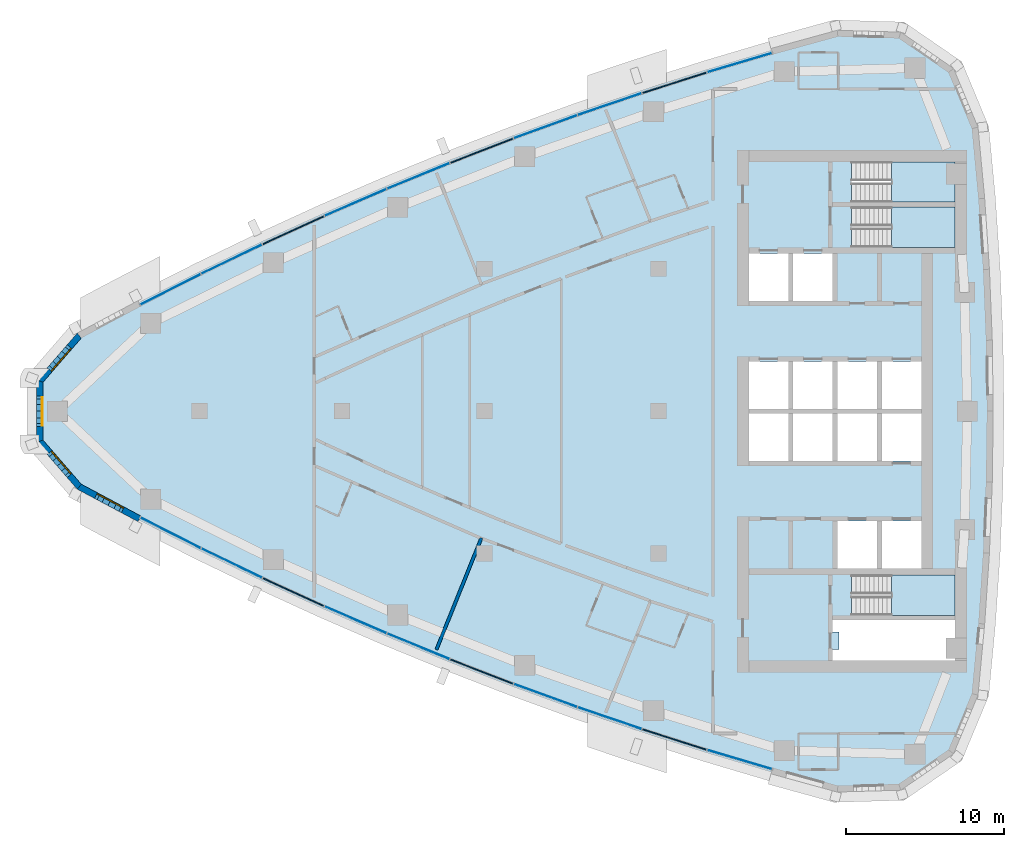
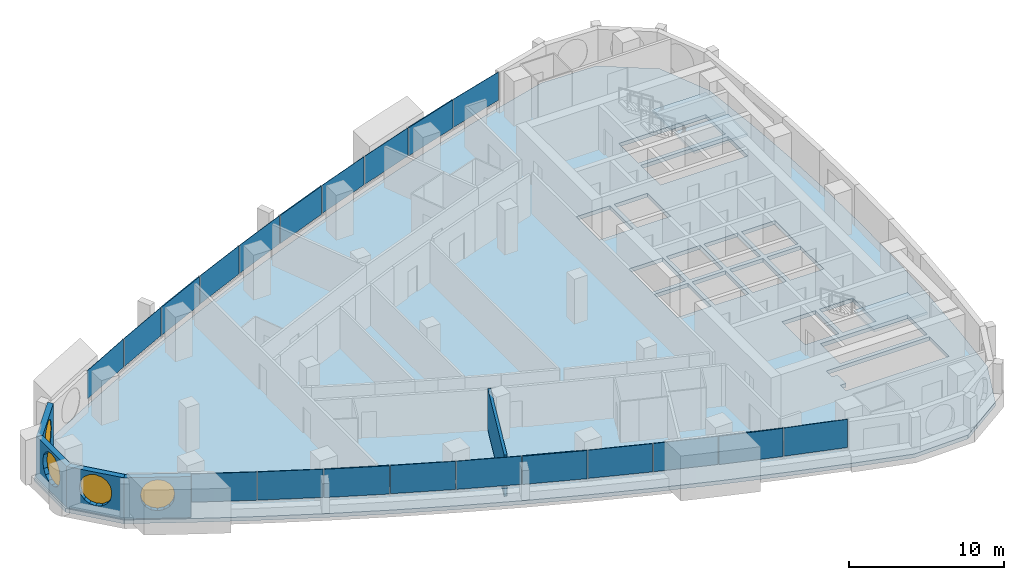
# One storey, part 8 of 17: 20 plates, 5 walls, 4 slabs, 4 windows, 5 openings, 13 elements without a shape of their own.
"""IFC4 building model written with IfcOpenShell, lengths in metres."""

import ifcopenshell
import ifcopenshell.guid

model = None  # the IFC model being written
_history = None  # IfcOwnerHistory: only IFC2X3 demands one
_inside = {}  # id of a spatial element -> (the spatial element, [elements in it])
_under = {}  # id of a project, library or spatial element -> (it, [spatial elements below it])
_declared = {}  # id of a project -> (the project, [libraries it declares])
_typed = {}  # id of a type object -> (the type object, [elements of that type])
_made_of = {}  # id of a material, layer set ... -> (it, [elements and type objects made of it])


def new_model(schema):
    """Start an empty IFC model of exactly this schema.

    Asked for "IFC4X3", IfcOpenShell would pick the latest addendum, in which some entities
    have other attributes; the version numbers below select the first issue.
    IFC2X3 requires an IfcOwnerHistory on every rooted entity: one is made here for all.
    """
    global model, _history
    if schema == "IFC4X3":
        model = ifcopenshell.file(schema_version=(4, 3, 0, 0))
    else:
        model = ifcopenshell.file(schema=schema)
    _inside.clear()
    _under.clear()
    _declared.clear()
    _typed.clear()
    _made_of.clear()
    _history = None
    if model.schema == "IFC2X3":
        org = make("IfcOrganization", Name="unknown")
        user = make(
            "IfcPersonAndOrganization",
            ThePerson=make("IfcPerson", FamilyName="unknown"),
            TheOrganization=org,
        )
        app = make(
            "IfcApplication",
            ApplicationDeveloper=org,
            Version="unknown",
            ApplicationFullName="unknown",
            ApplicationIdentifier="unknown",
        )
        _history = make(
            "IfcOwnerHistory",
            OwningUser=user,
            OwningApplication=app,
            ChangeAction="ADDED",
            CreationDate=0,
        )
    return model


def make(cls, **values):
    """One entity of the class cls with the attributes given. An attribute that is None is left unset."""
    return model.create_entity(
        cls, **{name: value for name, value in values.items() if value is not None}
    )


def rooted(cls, **values):
    """An entity with a GlobalId (a new one), such as an element, a storey or a relation."""
    return make(cls, GlobalId=ifcopenshell.guid.new(), OwnerHistory=_history, **values)


def si_unit(unit_type, name, prefix=None):
    """IfcSIUnit, for example si_unit("LENGTHUNIT", "METRE", prefix="MILLI")."""
    return make("IfcSIUnit", UnitType=unit_type, Prefix=prefix, Name=name)


def assignment(units):
    """IfcUnitAssignment: the units of a project."""
    return None if units is None else make("IfcUnitAssignment", Units=units)


def point(xyz):
    """IfcCartesianPoint."""
    return None if xyz is None else make("IfcCartesianPoint", Coordinates=xyz)


def direction(xyz):
    """IfcDirection."""
    return None if xyz is None else make("IfcDirection", DirectionRatios=xyz)


def frame(location, z_axis=None, x_axis=None):
    """IfcAxis2Placement3D, a coordinate frame: its origin and axes. An axis left out is left unset."""
    return make(
        "IfcAxis2Placement3D",
        Location=point(location),
        Axis=direction(z_axis),
        RefDirection=direction(x_axis),
    )


def frame_2d(location, x_axis=None):
    """IfcAxis2Placement2D, a coordinate frame in the plane: its origin and x axis."""
    return make(
        "IfcAxis2Placement2D", Location=point(location), RefDirection=direction(x_axis)
    )


def origin():
    """The frame at (0, 0, 0) with its axes left unset."""
    return frame((0.0, 0.0, 0.0))


def origin_2d():
    """The frame at (0, 0) in the plane with its x axis left unset."""
    return frame_2d((0.0, 0.0))


def place(relative_to, where):
    """IfcLocalPlacement: puts the frame where relative to a parent placement (None: the world)."""
    return make(
        "IfcLocalPlacement", PlacementRelTo=relative_to, RelativePlacement=where
    )


def context(
    kind, dimensions, precision=None, world=None, true_north=None, identifier=None
):
    """IfcGeometricRepresentationContext, for example the 3D "Model" context."""
    return make(
        "IfcGeometricRepresentationContext",
        ContextIdentifier=identifier,
        ContextType=kind,
        CoordinateSpaceDimension=dimensions,
        Precision=precision,
        WorldCoordinateSystem=world,
        TrueNorth=true_north,
    )


def subcontext(parent, identifier, kind, view, scale=None):
    """IfcGeometricRepresentationSubContext, for example "Body" below "Model"."""
    return make(
        "IfcGeometricRepresentationSubContext",
        ContextIdentifier=identifier,
        ContextType=kind,
        ParentContext=parent,
        TargetScale=scale,
        TargetView=view,
    )


def project(units=None, contexts=None):
    """IfcProject with its units and contexts."""
    return rooted(
        "IfcProject",
        Name="project",
        RepresentationContexts=contexts,
        UnitsInContext=assignment(units),
    )


def spatial(cls, under=None, at=None, **own):
    """A site, building, storey or space (cls), placed at a placement, below another one or the project."""
    s = rooted(cls, ObjectPlacement=at, **own)
    if under is not None:
        _under.setdefault(under.id(), (under, []))[1].append(s)
    return s


def polyline(points):
    """IfcPolyline through the points."""
    return make("IfcPolyline", Points=[point(p) for p in points])


def profile(cls, at=None, kind="AREA", **sizes):
    """A parametric profile (cls). Its sizes go by their IFC names, for example OverallWidth=200.0."""
    return make(cls, ProfileType=kind, Position=at, **sizes)


def rectangle(**sizes):
    """IfcRectangleProfileDef."""
    return profile("IfcRectangleProfileDef", **sizes)


def outline(outer, holes=None, kind="AREA"):
    """IfcArbitraryClosedProfileDef: a profile drawn as a closed curve; with holes, ...WithVoids."""
    if holes is None:
        return make("IfcArbitraryClosedProfileDef", ProfileType=kind, OuterCurve=outer)
    return make(
        "IfcArbitraryProfileDefWithVoids",
        ProfileType=kind,
        OuterCurve=outer,
        InnerCurves=holes,
    )


def extrude(swept, where, along, depth):
    """IfcExtrudedAreaSolid: the profile swept, set in the frame where, extruded along a direction by depth."""
    return make(
        "IfcExtrudedAreaSolid",
        SweptArea=swept,
        Position=where,
        ExtrudedDirection=direction(along),
        Depth=depth,
    )


def shape(context_of_items, identifier, shape_type, items):
    """IfcShapeRepresentation: the items that make up one representation, for example the "Body"."""
    return make(
        "IfcShapeRepresentation",
        ContextOfItems=context_of_items,
        RepresentationIdentifier=identifier,
        RepresentationType=shape_type,
        Items=items,
    )


def material(Name=None, Category=None):
    """IfcMaterial."""
    return make("IfcMaterial", Name=Name, Category=Category)


def layer(
    of_material, thickness, ventilated=None, Name=None, Category=None, Priority=None
):
    """IfcMaterialLayer: one layer of a wall or slab, of a material (None: an air gap)."""
    return make(
        "IfcMaterialLayer",
        Material=of_material,
        LayerThickness=thickness,
        IsVentilated=ventilated,
        Name=Name,
        Category=Category,
        Priority=Priority,
    )


def layer_set(layers, Name=None):
    """IfcMaterialLayerSet."""
    return make("IfcMaterialLayerSet", MaterialLayers=layers, LayerSetName=Name)


def made_of(thing, what):
    """Note that an element or type object is made of a material, layer set ...; save() writes the relation."""
    if what is not None:
        _made_of.setdefault(what.id(), (what, []))[1].append(thing)
    return thing


def type_object(cls, material=None, **own):
    """A type object (cls), such as IfcWallType, which elements share."""
    return made_of(rooted(cls, **own), material)


def element(
    cls,
    number,
    at=None,
    inside=None,
    cuts=None,
    type_object=None,
    material=None,
    context=None,
    identifier="Body",
    shape_type=None,
    held_by="IfcProductDefinitionShape",
    body=None,
    shapes=None,
    **own,
):
    """One element of the class cls, such as IfcWall. Its Tag is "e" and its number.

    at: its placement. inside: the storey or other place that contains it. cuts: it is an
    opening in that element (IfcRelVoidsElement). A single representation is given by context,
    identifier, shape_type and body (its items); several are given by shapes. held_by: the class
    of the entity that holds the representations. save() writes the other relations.
    """
    e = rooted(cls, Tag="e%d" % number, ObjectPlacement=at, **own)
    if body is not None:
        shapes = [shape(context, identifier, shape_type, body)]
    if shapes is not None:
        e.Representation = make(held_by, Representations=shapes)
    if inside is not None:
        _inside.setdefault(inside.id(), (inside, []))[1].append(e)
    if cuts is not None:
        rooted(
            "IfcRelVoidsElement", RelatingBuildingElement=cuts, RelatedOpeningElement=e
        )
    if type_object is not None:
        _typed.setdefault(type_object.id(), (type_object, []))[1].append(e)
    return made_of(e, material)


def fill(opening, filler):
    """IfcRelFillsElement: the door or window that sits in an opening."""
    return rooted(
        "IfcRelFillsElement",
        RelatingOpeningElement=opening,
        RelatedBuildingElement=filler,
    )


def aggregate(whole, parts):
    """IfcRelAggregates: a whole, such as a stair, and the parts it consists of."""
    return rooted("IfcRelAggregates", RelatingObject=whole, RelatedObjects=parts)


def save(model, path):
    """Write the relations noted so far, then the file.

    IfcRelAggregates (storeys below a building ...), IfcRelContainedInSpatialStructure (elements
    in a storey), IfcRelDefinesByType, IfcRelAssociatesMaterial and IfcRelDeclares: one each for
    every whole, place, type object, material and project.
    """
    for whole, parts in _under.values():
        aggregate(whole, parts)
    for where, things in _inside.values():
        rooted(
            "IfcRelContainedInSpatialStructure",
            RelatedElements=things,
            RelatingStructure=where,
        )
    for kind, things in _typed.values():
        rooted("IfcRelDefinesByType", RelatedObjects=things, RelatingType=kind)
    for what, things in _made_of.values():
        rooted("IfcRelAssociatesMaterial", RelatedObjects=things, RelatingMaterial=what)
    for by, libraries in _declared.values():
        rooted("IfcRelDeclares", RelatingContext=by, RelatedDefinitions=libraries)
    model.write(path)


model = new_model("IFC4")

# Units and contexts
model_context = context("Model", 3, precision=1e-05, world=origin(), true_north=direction((0.0, 1.0)))
body_context = subcontext(model_context, "Body", "Model", "MODEL_VIEW")
ifc_project = project(units=[si_unit("LENGTHUNIT", "METRE"), si_unit("AREAUNIT", "SQUARE_METRE"), si_unit("VOLUMEUNIT", "CUBIC_METRE"), si_unit("PLANEANGLEUNIT", "RADIAN"), si_unit("MASSUNIT", "GRAM", prefix="KILO")], contexts=[model_context])

# Site, building, storey
site_placement = place(None, origin())
site = spatial("IfcSite", under=ifc_project, at=site_placement, CompositionType="ELEMENT")
building_placement = place(site_placement, origin())
building = spatial("IfcBuilding", under=site, at=building_placement, Name="Ostrand Prow Hotel Tower", CompositionType="ELEMENT")
storey_placement = place(building_placement, frame((0.0, 0.0, 182.60009765625)))
storey = spatial("IfcBuildingStorey", under=building, at=storey_placement, Name="L45", CompositionType="ELEMENT", Elevation=182.60009765625)

# Curtain wall, plates
ifc_material_1 = material(Name="Insulated glass in bronze anodised frame", Category="glass")
ifc_layer_1 = layer(ifc_material_1, 0.199951171875)
ifc_layer_set_1 = layer_set([ifc_layer_1], Name="Insulated glass in bronze anodised frame")
curtain_wall_type = type_object("IfcCurtainWallType", Name="Strip curtain wall, fritted glass over bronze spandrel", PredefinedType="NOTDEFINED", material=ifc_layer_set_1)
curtain_wall_1_placement = place(storey_placement, origin())
curtain_wall_1 = element("IfcCurtainWall", 1, at=curtain_wall_1_placement, inside=storey, type_object=curtain_wall_type, Name="CW1 run CWS1", PredefinedType="NOTDEFINED")
ifc_material_2 = material(Name="Ceramic-fritted glass", Category="glass")
ifc_layer_2 = layer(ifc_material_2, 0.031982421875)
ifc_layer_set_2 = layer_set([ifc_layer_2], Name="Ceramic-fritted glass")
plate_type_1 = type_object("IfcPlateType", Name="Dot-fritted ceramic glass unit 32 mm", PredefinedType="CURTAIN_PANEL", material=ifc_layer_set_2)
plate_1_placement = place(storey_placement, frame((14.17529296875, -7.6865234375, 1.02001953125), z_axis=(0.0, 0.0, 1.0), x_axis=(0.891683792196, -0.452658828186, 0.0)))
plate_1 = element("IfcPlate", 2, at=plate_1_placement, type_object=plate_type_1, Name="CW1 PN-D panel 1.2", PredefinedType="CURTAIN_PANEL", context=body_context, shape_type="SweptSolid", body=[
    extrude(rectangle(XDim=4.2451171875, YDim=0.031982421875, at=origin_2d()), origin(), (0.0, 0.0, 1.0), 2.22998046875),
])
plate_2_placement = place(storey_placement, frame((18.033203125, -9.596435546875, 1.02001953125), z_axis=(0.0, 0.0, 1.0), x_axis=(0.90061633232, -0.434615027304, 0.0)))
plate_2 = element("IfcPlate", 3, at=plate_2_placement, type_object=plate_type_1, Name="CW1 PN-D panel 2.2", PredefinedType="CURTAIN_PANEL", context=body_context, shape_type="SweptSolid", body=[
    extrude(rectangle(XDim=4.2451171875, YDim=0.031982421875, at=origin_2d()), origin(), (0.0, 0.0, 1.0), 2.22998046875),
])
aggregate(curtain_wall_1, [plate_1, plate_2])

# Curtain wall, plate
curtain_wall_2_placement = place(storey_placement, origin())
curtain_wall_2 = element("IfcCurtainWall", 4, at=curtain_wall_2_placement, inside=storey, type_object=curtain_wall_type, Name="CW1 run CWS2", PredefinedType="NOTDEFINED")
plate_3_placement = place(storey_placement, frame((25.860595703125, -13.181396484375, 1.02001953125), z_axis=(0.0, 0.0, 1.0), x_axis=(0.917383388347, -0.398004671812, 0.0)))
plate_3 = element("IfcPlate", 5, at=plate_3_placement, type_object=plate_type_1, Name="CW1 PN-D panel 2.2", PredefinedType="CURTAIN_PANEL", context=body_context, shape_type="SweptSolid", body=[
    extrude(rectangle(XDim=4.2451171875, YDim=0.031982421875, at=origin_2d()), origin(), (0.0, 0.0, 1.0), 2.22998046875),
])

curtain_wall_3_placement = place(storey_placement, origin())
curtain_wall_3 = element("IfcCurtainWall", 6, at=curtain_wall_3_placement, inside=storey, type_object=curtain_wall_type, Name="CW1 run CWS3", PredefinedType="NOTDEFINED")
plate_4_placement = place(storey_placement, frame((29.826904296875, -14.85498046875, 1.02001953125), z_axis=(0.0, 0.0, 1.0), x_axis=(0.925211042932, -0.379452929936, 0.0)))
plate_4 = element("IfcPlate", 7, at=plate_4_placement, type_object=plate_type_1, Name="CW1 PN-D panel 1.2", PredefinedType="CURTAIN_PANEL", context=body_context, shape_type="SweptSolid", body=[
    extrude(rectangle(XDim=4.2451171875, YDim=0.031982421875, at=origin_2d()), origin(), (0.0, 0.0, 1.0), 2.22998046875),
])

# Curtain wall, plates
curtain_wall_4_placement = place(storey_placement, origin())
curtain_wall_4 = element("IfcCurtainWall", 8, at=curtain_wall_4_placement, inside=storey, type_object=curtain_wall_type, Name="CW1 run CWS4", PredefinedType="NOTDEFINED")
plate_5_placement = place(storey_placement, frame((37.8564453125, -17.960693359375, 1.02001953125), z_axis=(0.0, 0.0, 1.0), x_axis=(0.939737383067, -0.341897134919, 0.0)))
plate_5 = element("IfcPlate", 9, at=plate_5_placement, type_object=plate_type_1, Name="CW1 PN-D panel 1.2", PredefinedType="CURTAIN_PANEL", context=body_context, shape_type="SweptSolid", body=[
    extrude(rectangle(XDim=4.2451171875, YDim=0.031982421875, at=origin_2d()), origin(), (0.0, 0.0, 1.0), 2.22998046875),
])
plate_6_placement = place(storey_placement, frame((41.91650390625, -19.3916015625, 1.02001953125), z_axis=(0.0, 0.0, 1.0), x_axis=(0.946430245113, -0.322908332404, 0.0)))
plate_6 = element("IfcPlate", 10, at=plate_6_placement, type_object=plate_type_1, Name="CW1 PN-D panel 2.2", PredefinedType="CURTAIN_PANEL", context=body_context, shape_type="SweptSolid", body=[
    extrude(rectangle(XDim=4.2451171875, YDim=0.031982421875, at=origin_2d()), origin(), (0.0, 0.0, 1.0), 2.22998046875),
])
aggregate(curtain_wall_4, [plate_5, plate_6])

# Curtain wall, plate
curtain_wall_5_placement = place(storey_placement, origin())
curtain_wall_5 = element("IfcCurtainWall", 11, at=curtain_wall_5_placement, inside=storey, type_object=curtain_wall_type, Name="CW1 run CWS5", PredefinedType="NOTDEFINED")
plate_7_placement = place(storey_placement, frame((50.118896484375, -22.007080078125, 1.02001953125), z_axis=(0.0, 0.0, 1.0), x_axis=(0.958662947758, -0.284544113619, 0.0)))
plate_7 = element("IfcPlate", 12, at=plate_7_placement, type_object=plate_type_1, Name="CW1 PN-D panel 2.2", PredefinedType="CURTAIN_PANEL", context=body_context, shape_type="SweptSolid", body=[
    extrude(rectangle(XDim=4.2451171875, YDim=0.031982421875, at=origin_2d()), origin(), (0.0, 0.0, 1.0), 2.22998046875),
])

curtain_wall_6_placement = place(storey_placement, origin())
curtain_wall_6 = element("IfcCurtainWall", 13, at=curtain_wall_6_placement, inside=storey, type_object=curtain_wall_type, Name="CW1 run CWN1", PredefinedType="NOTDEFINED")
plate_8_placement = place(storey_placement, frame((50.118896484375, 22.007080078125, 1.02001953125), z_axis=(0.0, 0.0, 1.0), x_axis=(-0.958662947758, -0.284544113619, 0.0)))
plate_8 = element("IfcPlate", 14, at=plate_8_placement, type_object=plate_type_1, Name="CW1 PN-D panel 1.2", PredefinedType="CURTAIN_PANEL", context=body_context, shape_type="SweptSolid", body=[
    extrude(rectangle(XDim=4.2451171875, YDim=0.031982421875, at=origin_2d()), origin(), (0.0, 0.0, 1.0), 2.22998046875),
])

# Curtain wall, plates
curtain_wall_7_placement = place(storey_placement, origin())
curtain_wall_7 = element("IfcCurtainWall", 15, at=curtain_wall_7_placement, inside=storey, type_object=curtain_wall_type, Name="CW1 run CWN2", PredefinedType="NOTDEFINED")
plate_9_placement = place(storey_placement, frame((41.91650390625, 19.3916015625, 1.02001953125), z_axis=(0.0, 0.0, 1.0), x_axis=(-0.946430245113, -0.322908332404, 0.0)))
plate_9 = element("IfcPlate", 16, at=plate_9_placement, type_object=plate_type_1, Name="CW1 PN-D panel 1.2", PredefinedType="CURTAIN_PANEL", context=body_context, shape_type="SweptSolid", body=[
    extrude(rectangle(XDim=4.2451171875, YDim=0.031982421875, at=origin_2d()), origin(), (0.0, 0.0, 1.0), 2.22998046875),
])
plate_10_placement = place(storey_placement, frame((37.8564453125, 17.960693359375, 1.02001953125), z_axis=(0.0, 0.0, 1.0), x_axis=(-0.939737383067, -0.341897134919, 0.0)))
plate_10 = element("IfcPlate", 17, at=plate_10_placement, type_object=plate_type_1, Name="CW1 PN-D panel 2.2", PredefinedType="CURTAIN_PANEL", context=body_context, shape_type="SweptSolid", body=[
    extrude(rectangle(XDim=4.2451171875, YDim=0.031982421875, at=origin_2d()), origin(), (0.0, 0.0, 1.0), 2.22998046875),
])
aggregate(curtain_wall_7, [plate_9, plate_10])

# Curtain wall, plate
curtain_wall_8_placement = place(storey_placement, origin())
curtain_wall_8 = element("IfcCurtainWall", 18, at=curtain_wall_8_placement, inside=storey, type_object=curtain_wall_type, Name="CW1 run CWN3", PredefinedType="NOTDEFINED")
plate_11_placement = place(storey_placement, frame((29.826904296875, 14.85498046875, 1.02001953125), z_axis=(0.0, 0.0, 1.0), x_axis=(-0.925211042932, -0.379452929936, 0.0)))
plate_11 = element("IfcPlate", 19, at=plate_11_placement, type_object=plate_type_1, Name="CW1 PN-D panel 2.2", PredefinedType="CURTAIN_PANEL", context=body_context, shape_type="SweptSolid", body=[
    extrude(rectangle(XDim=4.2451171875, YDim=0.031982421875, at=origin_2d()), origin(), (0.0, 0.0, 1.0), 2.22998046875),
])

curtain_wall_9_placement = place(storey_placement, origin())
curtain_wall_9 = element("IfcCurtainWall", 20, at=curtain_wall_9_placement, inside=storey, type_object=curtain_wall_type, Name="CW1 run CWN4", PredefinedType="NOTDEFINED")
plate_12_placement = place(storey_placement, frame((25.860595703125, 13.181396484375, 1.02001953125), z_axis=(0.0, 0.0, 1.0), x_axis=(-0.917383388347, -0.398004671812, 0.0)))
plate_12 = element("IfcPlate", 21, at=plate_12_placement, type_object=plate_type_1, Name="CW1 PN-D panel 1.2", PredefinedType="CURTAIN_PANEL", context=body_context, shape_type="SweptSolid", body=[
    extrude(rectangle(XDim=4.2451171875, YDim=0.031982421875, at=origin_2d()), origin(), (0.0, 0.0, 1.0), 2.22998046875),
])

# Curtain wall, plates
curtain_wall_10_placement = place(storey_placement, origin())
curtain_wall_10 = element("IfcCurtainWall", 22, at=curtain_wall_10_placement, inside=storey, type_object=curtain_wall_type, Name="CW1 run CWN5", PredefinedType="NOTDEFINED")
plate_13_placement = place(storey_placement, frame((18.033203125, 9.596435546875, 1.02001953125), z_axis=(0.0, 0.0, 1.0), x_axis=(-0.90061633232, -0.434615027304, 0.0)))
plate_13 = element("IfcPlate", 23, at=plate_13_placement, type_object=plate_type_1, Name="CW1 PN-D panel 1.2", PredefinedType="CURTAIN_PANEL", context=body_context, shape_type="SweptSolid", body=[
    extrude(rectangle(XDim=4.2451171875, YDim=0.031982421875, at=origin_2d()), origin(), (0.0, 0.0, 1.0), 2.22998046875),
])
plate_14_placement = place(storey_placement, frame((14.17529296875, 7.6865234375, 1.02001953125), z_axis=(0.0, 0.0, 1.0), x_axis=(-0.891683792196, -0.452658828186, 0.0)))
plate_14 = element("IfcPlate", 24, at=plate_14_placement, type_object=plate_type_1, Name="CW1 PN-D panel 2.2", PredefinedType="CURTAIN_PANEL", context=body_context, shape_type="SweptSolid", body=[
    extrude(rectangle(XDim=4.2451171875, YDim=0.031982421875, at=origin_2d()), origin(), (0.0, 0.0, 1.0), 2.22998046875),
])
aggregate(curtain_wall_10, [plate_13, plate_14])

# Plate
ifc_material_3 = material(Name="Fritted glass in bronze vent frame", Category="glass")
ifc_layer_3 = layer(ifc_material_3, 0.080078125)
ifc_layer_set_3 = layer_set([ifc_layer_3], Name="Fritted glass in bronze vent frame")
plate_type_2 = type_object("IfcPlateType", Name="Operable vent panel 80 mm", PredefinedType="CURTAIN_PANEL", material=ifc_layer_set_3)
plate_15_placement = place(storey_placement, frame((21.928955078125, -11.428466796875, 1.02001953125), z_axis=(0.0, 0.0, 1.0), x_axis=(0.909184517226, -0.416393460127, 0.0)))
plate_15 = element("IfcPlate", 25, at=plate_15_placement, type_object=plate_type_2, Name="CW1 PN-O2 panel 1.2", PredefinedType="CURTAIN_PANEL", context=body_context, shape_type="SweptSolid", body=[
    extrude(rectangle(XDim=4.2451171875, YDim=0.080078125, at=origin_2d()), origin(), (0.0, 0.0, 1.0), 2.22998046875),
])

aggregate(curtain_wall_2, [plate_15, plate_3])

plate_16_placement = place(storey_placement, frame((33.826171875, -16.4482421875, 1.02001953125), z_axis=(0.0, 0.0, 1.0), x_axis=(0.932662950972, -0.360748970732, 0.0)))
plate_16 = element("IfcPlate", 26, at=plate_16_placement, type_object=plate_type_2, Name="CW1 PN-O2 panel 2.2", PredefinedType="CURTAIN_PANEL", context=body_context, shape_type="SweptSolid", body=[
    extrude(rectangle(XDim=4.2451171875, YDim=0.080078125, at=origin_2d()), origin(), (0.0, 0.0, 1.0), 2.22998046875),
])

aggregate(curtain_wall_3, [plate_4, plate_16])

plate_17_placement = place(storey_placement, frame((46.00439453125, -20.74072265625, 1.02001953125), z_axis=(0.0, 0.0, 1.0), x_axis=(0.952739983864, -0.303786970008, 0.0)))
plate_17 = element("IfcPlate", 27, at=plate_17_placement, type_object=plate_type_2, Name="CW1 PN-O2 panel 1.2", PredefinedType="CURTAIN_PANEL", context=body_context, shape_type="SweptSolid", body=[
    extrude(rectangle(XDim=4.2451171875, YDim=0.080078125, at=origin_2d()), origin(), (0.0, 0.0, 1.0), 2.22998046875),
])

aggregate(curtain_wall_5, [plate_17, plate_7])

plate_18_placement = place(storey_placement, frame((46.00439453125, 20.74072265625, 1.02001953125), z_axis=(0.0, 0.0, 1.0), x_axis=(-0.952739983864, -0.303786970008, 0.0)))
plate_18 = element("IfcPlate", 28, at=plate_18_placement, type_object=plate_type_2, Name="CW1 PN-O2 panel 2.2", PredefinedType="CURTAIN_PANEL", context=body_context, shape_type="SweptSolid", body=[
    extrude(rectangle(XDim=4.2451171875, YDim=0.080078125, at=origin_2d()), origin(), (0.0, 0.0, 1.0), 2.22998046875),
])

aggregate(curtain_wall_6, [plate_8, plate_18])

plate_19_placement = place(storey_placement, frame((33.826171875, 16.4482421875, 1.02001953125), z_axis=(0.0, 0.0, 1.0), x_axis=(-0.932662950972, -0.360748970732, 0.0)))
plate_19 = element("IfcPlate", 29, at=plate_19_placement, type_object=plate_type_2, Name="CW1 PN-O2 panel 1.2", PredefinedType="CURTAIN_PANEL", context=body_context, shape_type="SweptSolid", body=[
    extrude(rectangle(XDim=4.2451171875, YDim=0.080078125, at=origin_2d()), origin(), (0.0, 0.0, 1.0), 2.22998046875),
])

aggregate(curtain_wall_8, [plate_19, plate_11])

plate_20_placement = place(storey_placement, frame((21.928955078125, 11.428466796875, 1.02001953125), z_axis=(0.0, 0.0, 1.0), x_axis=(-0.909184517226, -0.416393460127, 0.0)))
plate_20 = element("IfcPlate", 30, at=plate_20_placement, type_object=plate_type_2, Name="CW1 PN-O2 panel 2.2", PredefinedType="CURTAIN_PANEL", context=body_context, shape_type="SweptSolid", body=[
    extrude(rectangle(XDim=4.2451171875, YDim=0.080078125, at=origin_2d()), origin(), (0.0, 0.0, 1.0), 2.22998046875),
])

aggregate(curtain_wall_9, [plate_12, plate_20])

# Slab, opening
ifc_material_4 = material(Name="Concrete C40/50", Category="concrete")
ifc_layer_4 = layer(ifc_material_4, 0.300048828125)
ifc_layer_set_4 = layer_set([ifc_layer_4], Name="Concrete C40/50")
slab_type_1 = type_object("IfcSlabType", Name="PT flat plate 300 C40/50", PredefinedType="FLOOR", material=ifc_layer_set_4)
slab_1_placement = place(storey_placement, frame((0.0, 0.0, -0.300048828125)))
slab_1 = element("IfcSlab", 31, at=slab_1_placement, inside=storey, type_object=slab_type_1, Name="Floor slab L45-1", PredefinedType="FLOOR", context=body_context, shape_type="SweptSolid", body=[
    extrude(outline(polyline([(8.22216796875, 5.025634765625), (12.06689453125, 7.07568359375), (15.912841796875, 9.0283203125), (19.797607421875, 10.90283203125), (23.718994140625, 12.698974609375), (27.676025390625, 14.41552734375), (31.666748046875, 16.05224609375), (35.689697265625, 17.6083984375), (39.7431640625, 19.0830078125), (43.8251953125, 20.475830078125), (47.934814453125, 21.7861328125), (52.06982421875, 23.013427734375), (56.26220703125, 24.16650390625), (60.3349609375, 24.0498046875), (63.721435546875, 21.719482421875), (65.2861328125, 17.957275390625), (65.70947265625, 13.453369140625), (66.009765625, 8.974365234375), (66.18994140625, 4.48876953125), (66.25, 0.0), (66.18994140625, -4.48876953125), (66.009765625, -8.974365234375), (65.70947265625, -13.453369140625), (65.2861328125, -17.957275390625), (63.721435546875, -21.719482421875), (60.3349609375, -24.0498046875), (56.26220703125, -24.16650390625), (52.06982421875, -23.013427734375), (47.934814453125, -21.7861328125), (43.8251953125, -20.475830078125), (39.7431640625, -19.0830078125), (35.689697265625, -17.6083984375), (31.666748046875, -16.05224609375), (27.676025390625, -14.41552734375), (23.718994140625, -12.698974609375), (19.797607421875, -10.90283203125), (15.912841796875, -9.0283203125), (12.06689453125, -7.07568359375), (8.22216796875, -5.025634765625), (5.614013671875, -2.014892578125), (5.614013671875, 2.014892578125), (8.22216796875, 5.025634765625)]), holes=[polyline([(50.699951171875, 6.949951171875), (53.199951171875, 6.949951171875), (53.199951171875, 9.949951171875), (50.699951171875, 9.949951171875), (50.699951171875, 6.949951171875)]), polyline([(53.5, 6.949951171875), (56.0, 6.949951171875), (56.0, 9.949951171875), (53.5, 9.949951171875), (53.5, 6.949951171875)]), polyline([(50.699951171875, 0.14990234375), (53.199951171875, 0.14990234375), (53.199951171875, 3.14990234375), (50.699951171875, 3.14990234375), (50.699951171875, 0.14990234375)]), polyline([(53.5, 0.14990234375), (56.0, 0.14990234375), (56.0, 3.14990234375), (53.5, 3.14990234375), (53.5, 0.14990234375)]), polyline([(56.300048828125, 0.14990234375), (58.800048828125, 0.14990234375), (58.800048828125, 3.14990234375), (56.300048828125, 3.14990234375), (56.300048828125, 0.14990234375)]), polyline([(59.10009765625, 0.14990234375), (61.60009765625, 0.14990234375), (61.60009765625, 3.14990234375), (59.10009765625, 3.14990234375), (59.10009765625, 0.14990234375)]), polyline([(50.699951171875, -3.14990234375), (53.199951171875, -3.14990234375), (53.199951171875, -0.14990234375), (50.699951171875, -0.14990234375), (50.699951171875, -3.14990234375)]), polyline([(53.5, -3.14990234375), (56.0, -3.14990234375), (56.0, -0.14990234375), (53.5, -0.14990234375), (53.5, -3.14990234375)]), polyline([(56.300048828125, -3.14990234375), (58.800048828125, -3.14990234375), (58.800048828125, -0.14990234375), (56.300048828125, -0.14990234375), (56.300048828125, -3.14990234375)]), polyline([(59.10009765625, -3.14990234375), (61.60009765625, -3.14990234375), (61.60009765625, -0.14990234375), (59.10009765625, -0.14990234375), (59.10009765625, -3.14990234375)]), polyline([(56.300048828125, -9.949951171875), (58.800048828125, -9.949951171875), (58.800048828125, -6.949951171875), (56.300048828125, -6.949951171875), (56.300048828125, -9.949951171875)]), polyline([(59.10009765625, -9.949951171875), (61.60009765625, -9.949951171875), (61.60009765625, -6.949951171875), (59.10009765625, -6.949951171875), (59.10009765625, -9.949951171875)]), polyline([(57.200927734375, 10.35107421875), (57.200927734375, 12.89892578125), (63.718994140625, 12.89892578125), (63.718994140625, 10.35107421875), (57.200927734375, 10.35107421875)]), polyline([(57.200927734375, 13.200927734375), (57.200927734375, 15.7490234375), (63.718994140625, 15.7490234375), (63.718994140625, 13.200927734375), (57.200927734375, 13.200927734375)]), polyline([(57.200927734375, -12.89892578125), (57.200927734375, -10.35107421875), (63.718994140625, -10.35107421875), (63.718994140625, -12.89892578125), (57.200927734375, -12.89892578125)]), polyline([(63.719970703125, -13.199951171875), (63.719970703125, -15.75), (56.0, -15.75), (56.0, -15.050048828125), (56.39990234375, -15.050048828125), (56.39990234375, -13.949951171875), (56.0, -13.949951171875), (56.0, -13.199951171875), (63.719970703125, -13.199951171875)])]), origin(), (0.0, 0.0, 1.0), 0.300048828125),
])
opening_1_placement = place(slab_1_placement, origin())
element("IfcOpeningElement", 32, at=opening_1_placement, cuts=slab_1, Name="Shaft opening 1", PredefinedType="OPENING", context=body_context, shape_type="SweptSolid", body=[
    extrude(outline(polyline([(63.719970703125, -13.199951171875), (63.719970703125, -15.75), (56.0, -15.75), (56.0, -15.050048828125), (56.39990234375, -15.050048828125), (56.39990234375, -13.949951171875), (56.0, -13.949951171875), (56.0, -13.199951171875), (63.719970703125, -13.199951171875)])), origin(), (0.0, 0.0, 1.0), 0.300048828125),
])

# Stair, slab
ifc_material_5 = material(Name="Concrete C40/50", Category="concrete")
stair_type = type_object("IfcStairType", Name="Exit stair 1200 upper zone", PredefinedType="HALF_TURN_STAIR", material=ifc_material_5)
stair_1_placement = place(storey_placement, origin())
stair_1 = element("IfcStair", 33, at=stair_1_placement, inside=storey, type_object=stair_type, Name="L45 ST1C", PredefinedType="HALF_TURN_STAIR")
ifc_material_6 = material(Name="Concrete C40/50", Category="concrete")
ifc_layer_5 = layer(ifc_material_6, 0.199951171875)
ifc_layer_set_5 = layer_set([ifc_layer_5], Name="Concrete C40/50")
slab_type_2 = type_object("IfcSlabType", Name="Stair landing 200 concrete", PredefinedType="LANDING", material=ifc_layer_set_5)
slab_2_placement = place(storey_placement, frame((0.0, 0.0, 1.574951171875)))
slab_2 = element("IfcSlab", 34, at=slab_2_placement, type_object=slab_type_2, Name="ST1C landing 1", PredefinedType="LANDING", context=body_context, shape_type="SweptSolid", body=[
    extrude(outline(polyline([(59.719970703125, 10.35009765625), (63.719970703125, 10.35009765625), (63.719970703125, 12.89990234375), (59.719970703125, 12.89990234375), (59.719970703125, 10.35009765625)])), origin(), (0.0, 0.0, 1.0), 0.199951171875),
])
aggregate(stair_1, [slab_2])

stair_2_placement = place(storey_placement, origin())
stair_2 = element("IfcStair", 35, at=stair_2_placement, inside=storey, type_object=stair_type, Name="L45 ST3C", PredefinedType="HALF_TURN_STAIR")
slab_3_placement = place(storey_placement, frame((0.0, 0.0, 1.574951171875)))
slab_3 = element("IfcSlab", 36, at=slab_3_placement, type_object=slab_type_2, Name="ST3C landing 1", PredefinedType="LANDING", context=body_context, shape_type="SweptSolid", body=[
    extrude(outline(polyline([(59.719970703125, 13.199951171875), (63.719970703125, 13.199951171875), (63.719970703125, 15.75), (59.719970703125, 15.75), (59.719970703125, 13.199951171875)])), origin(), (0.0, 0.0, 1.0), 0.199951171875),
])
aggregate(stair_2, [slab_3])

stair_3_placement = place(storey_placement, origin())
stair_3 = element("IfcStair", 37, at=stair_3_placement, inside=storey, type_object=stair_type, Name="L45 ST2C", PredefinedType="HALF_TURN_STAIR")
slab_4_placement = place(storey_placement, frame((0.0, 0.0, 1.574951171875)))
slab_4 = element("IfcSlab", 38, at=slab_4_placement, type_object=slab_type_2, Name="ST2C landing 1", PredefinedType="LANDING", context=body_context, shape_type="SweptSolid", body=[
    extrude(outline(polyline([(59.719970703125, -12.89990234375), (63.719970703125, -12.89990234375), (63.719970703125, -10.35009765625), (59.719970703125, -10.35009765625), (59.719970703125, -12.89990234375)])), origin(), (0.0, 0.0, 1.0), 0.199951171875),
])
aggregate(stair_3, [slab_4])

# Wall
ifc_material_7 = material(Name="Plasterboard partition")
ifc_layer_6 = layer(ifc_material_7, 0.199951171875)
ifc_layer_set_6 = layer_set([ifc_layer_6], Name="Plasterboard partition")
wall_type_1 = type_object("IfcWallType", Name="Partition 200 key partition", PredefinedType="PARTITIONING", material=ifc_layer_set_6)
wall_1_placement = place(storey_placement, frame((30.967041015625, -15.062744140625, 0.0), z_axis=(0.0, 0.0, 1.0), x_axis=(0.373887223455, 0.927474174378, 0.0)))
element("IfcWall", 39, at=wall_1_placement, inside=storey, type_object=wall_type_1, Name="KEY PARTITION", PredefinedType="PARTITIONING", context=body_context, shape_type="SweptSolid", body=[
    extrude(rectangle(XDim=7.60009765625, YDim=0.199951171875, at=frame_2d((3.800048828125, 0.0))), origin(), (0.0, 0.0, 1.0), 3.25),
])

# Wall, opening, window
ifc_material_8 = material(Name="Precast concrete C40/50", Category="concrete")
ifc_layer_7 = layer(ifc_material_8, 0.39990234375)
ifc_layer_set_7 = layer_set([ifc_layer_7], Name="Precast concrete C40/50")
wall_type_2 = type_object("IfcWallType", Name="Stone-faced precast wall 400 mm", PredefinedType="NOTDEFINED", material=ifc_layer_set_7)
wall_2_placement = place(storey_placement, frame((8.4091796875, 4.7744140625, 0.0), z_axis=(0.0, 0.0, 1.0), x_axis=(-0.654759384203, -0.755837382509, 0.0)))
wall_2 = element("IfcWall", 40, at=wall_2_placement, inside=storey, type_object=wall_type_2, Name="Stone-faced wall prow 2", PredefinedType="NOTDEFINED", context=body_context, shape_type="SweptSolid", body=[
    extrude(outline(polyline([(-0.037109375, -0.199951171875), (3.87646484375, -0.199951171875), (3.72705078125, 0.199951171875), (0.037109375, 0.199951171875), (-0.037109375, -0.199951171875)])), origin(), (0.0, 0.0, 1.0), 3.25),
])
opening_2_placement = place(wall_2_placement, frame((0.80078125, 0.0, 0.60009765625)))
opening_2 = element("IfcOpeningElement", 41, at=opening_2_placement, cuts=wall_2, Name="Opening WP2", PredefinedType="OPENING", context=body_context, shape_type="SweptSolid", body=[
    extrude(outline(polyline([(0.0, 1.35009765625), (0.083740234375, 1.77099609375), (0.322265625, 2.127685546875), (0.678955078125, 2.3662109375), (1.10009765625, 2.449951171875), (1.52099609375, 2.3662109375), (1.877685546875, 2.127685546875), (2.1162109375, 1.77099609375), (2.199951171875, 1.35009765625), (2.199951171875, 1.10009765625), (2.1162109375, 0.678955078125), (1.877685546875, 0.322265625), (1.52099609375, 0.083740234375), (1.10009765625, 0.0), (0.678955078125, 0.083740234375), (0.322265625, 0.322265625), (0.083740234375, 0.678955078125), (0.0, 1.099853515625), (0.0, 1.35009765625)])), frame((0.0, 0.2099609375, 0.0), z_axis=(0.0, -1.0, 0.0), x_axis=(1.0, 0.0, 0.0)), (0.0, 0.0, 1.0), 0.419921875),
])
ifc_material_9 = material(Name="Insulated glass in bronze frame", Category="glass")
window_type = type_object("IfcWindowType", Name="Round-ended prow lounge window 2200x2450", PartitioningType="SINGLE_PANEL", PredefinedType="WINDOW", material=ifc_material_9)
window_1_placement = place(opening_2_placement, origin())
window_1 = element("IfcWindow", 42, at=window_1_placement, inside=storey, type_object=window_type, Name="Window prow 2.1", OverallHeight=2.449951171875, OverallWidth=2.199951171875, PartitioningType="SINGLE_PANEL", PredefinedType="WINDOW", context=body_context, shape_type="SweptSolid", body=[
    extrude(outline(polyline([(0.0, 1.35009765625), (0.083740234375, 1.77099609375), (0.322265625, 2.127685546875), (0.678955078125, 2.3662109375), (1.10009765625, 2.449951171875), (1.52099609375, 2.3662109375), (1.877685546875, 2.127685546875), (2.1162109375, 1.77099609375), (2.199951171875, 1.35009765625), (2.199951171875, 1.10009765625), (2.1162109375, 0.678955078125), (1.877685546875, 0.322265625), (1.52099609375, 0.083740234375), (1.10009765625, 0.0), (0.678955078125, 0.083740234375), (0.322265625, 0.322265625), (0.083740234375, 0.678955078125), (0.0, 1.099853515625), (0.0, 1.35009765625)])), frame((0.0, 0.169921875, 0.0), z_axis=(0.0, -1.0, 0.0), x_axis=(1.0, 0.0, 0.0)), (0.0, 0.0, 1.0), 0.06005859375),
])
fill(opening_2, window_1)

wall_3_placement = place(storey_placement, frame((5.919921875, 1.90087890625, 0.0), z_axis=(0.0, 0.0, 1.0), x_axis=(0.0, -1.0, 0.0)))
wall_3 = element("IfcWall", 43, at=wall_3_placement, inside=storey, type_object=wall_type_2, Name="Stone-faced wall prow 3", PredefinedType="NOTDEFINED", context=body_context, shape_type="SweptSolid", body=[
    extrude(outline(polyline([(-0.07470703125, -0.199951171875), (3.87646484375, -0.199951171875), (3.72705078125, 0.199951171875), (0.07470703125, 0.199951171875), (-0.07470703125, -0.199951171875)])), origin(), (0.0, 0.0, 1.0), 3.25),
])
opening_3_placement = place(wall_3_placement, frame((0.80078125, 0.0, 0.60009765625)))
opening_3 = element("IfcOpeningElement", 44, at=opening_3_placement, cuts=wall_3, Name="Opening WP2", PredefinedType="OPENING", context=body_context, shape_type="SweptSolid", body=[
    extrude(outline(polyline([(0.0, 1.35009765625), (0.083740234375, 1.77099609375), (0.322265625, 2.127685546875), (0.678955078125, 2.3662109375), (1.10009765625, 2.449951171875), (1.52099609375, 2.3662109375), (1.877685546875, 2.127685546875), (2.1162109375, 1.77099609375), (2.199951171875, 1.35009765625), (2.199951171875, 1.10009765625), (2.1162109375, 0.678955078125), (1.877685546875, 0.322265625), (1.52099609375, 0.083740234375), (1.10009765625, 0.0), (0.678955078125, 0.083740234375), (0.322265625, 0.322265625), (0.083740234375, 0.678955078125), (0.0, 1.099853515625), (0.0, 1.35009765625)])), frame((0.0, 0.2099609375, 0.0), z_axis=(0.0, -1.0, 0.0), x_axis=(1.0, 0.0, 0.0)), (0.0, 0.0, 1.0), 0.419921875),
])
window_2_placement = place(opening_3_placement, origin())
window_2 = element("IfcWindow", 45, at=window_2_placement, inside=storey, type_object=window_type, Name="Window prow 3.1", OverallHeight=2.449951171875, OverallWidth=2.199951171875, PartitioningType="SINGLE_PANEL", PredefinedType="WINDOW", context=body_context, shape_type="SweptSolid", body=[
    extrude(outline(polyline([(0.0, 1.35009765625), (0.083740234375, 1.77099609375), (0.322265625, 2.127685546875), (0.678955078125, 2.3662109375), (1.10009765625, 2.449951171875), (1.52099609375, 2.3662109375), (1.877685546875, 2.127685546875), (2.1162109375, 1.77099609375), (2.199951171875, 1.35009765625), (2.199951171875, 1.10009765625), (2.1162109375, 0.678955078125), (1.877685546875, 0.322265625), (1.52099609375, 0.083740234375), (1.10009765625, 0.0), (0.678955078125, 0.083740234375), (0.322265625, 0.322265625), (0.083740234375, 0.678955078125), (0.0, 1.099853515625), (0.0, 1.35009765625)])), frame((0.0, 0.169921875, 0.0), z_axis=(0.0, -1.0, 0.0), x_axis=(1.0, 0.0, 0.0)), (0.0, 0.0, 1.0), 0.06005859375),
])
fill(opening_3, window_2)

wall_4_placement = place(storey_placement, frame((5.919921875, -1.90087890625, 0.0), z_axis=(0.0, 0.0, 1.0), x_axis=(0.654759384203, -0.755837382509, 0.0)))
wall_4 = element("IfcWall", 46, at=wall_4_placement, inside=storey, type_object=wall_type_2, Name="Stone-faced wall prow 4", PredefinedType="NOTDEFINED", context=body_context, shape_type="SweptSolid", body=[
    extrude(outline(polyline([(-0.07470703125, -0.199951171875), (3.8388671875, -0.199951171875), (3.7646484375, 0.199951171875), (0.07470703125, 0.199951171875), (-0.07470703125, -0.199951171875)])), origin(), (0.0, 0.0, 1.0), 3.25),
])
opening_4_placement = place(wall_4_placement, frame((0.80078125, 0.0, 0.60009765625)))
opening_4 = element("IfcOpeningElement", 47, at=opening_4_placement, cuts=wall_4, Name="Opening WP2", PredefinedType="OPENING", context=body_context, shape_type="SweptSolid", body=[
    extrude(outline(polyline([(0.0, 1.35009765625), (0.083740234375, 1.77099609375), (0.322265625, 2.127685546875), (0.678955078125, 2.3662109375), (1.10009765625, 2.449951171875), (1.52099609375, 2.3662109375), (1.877685546875, 2.127685546875), (2.1162109375, 1.77099609375), (2.199951171875, 1.35009765625), (2.199951171875, 1.10009765625), (2.1162109375, 0.678955078125), (1.877685546875, 0.322265625), (1.52099609375, 0.083740234375), (1.10009765625, 0.0), (0.678955078125, 0.083740234375), (0.322265625, 0.322265625), (0.083740234375, 0.678955078125), (0.0, 1.099853515625), (0.0, 1.35009765625)])), frame((0.0, 0.2099609375, 0.0), z_axis=(0.0, -1.0, 0.0), x_axis=(1.0, 0.0, 0.0)), (0.0, 0.0, 1.0), 0.419921875),
])
window_3_placement = place(opening_4_placement, origin())
window_3 = element("IfcWindow", 48, at=window_3_placement, inside=storey, type_object=window_type, Name="Window prow 4.1", OverallHeight=2.449951171875, OverallWidth=2.199951171875, PartitioningType="SINGLE_PANEL", PredefinedType="WINDOW", context=body_context, shape_type="SweptSolid", body=[
    extrude(outline(polyline([(0.0, 1.35009765625), (0.083740234375, 1.77099609375), (0.322265625, 2.127685546875), (0.678955078125, 2.3662109375), (1.10009765625, 2.449951171875), (1.52099609375, 2.3662109375), (1.877685546875, 2.127685546875), (2.1162109375, 1.77099609375), (2.199951171875, 1.35009765625), (2.199951171875, 1.10009765625), (2.1162109375, 0.678955078125), (1.877685546875, 0.322265625), (1.52099609375, 0.083740234375), (1.10009765625, 0.0), (0.678955078125, 0.083740234375), (0.322265625, 0.322265625), (0.083740234375, 0.678955078125), (0.0, 1.099853515625), (0.0, 1.35009765625)])), frame((0.0, 0.169921875, 0.0), z_axis=(0.0, -1.0, 0.0), x_axis=(1.0, 0.0, 0.0)), (0.0, 0.0, 1.0), 0.06005859375),
])
fill(opening_4, window_3)

wall_5_placement = place(storey_placement, frame((8.4091796875, -4.7744140625, 0.0), z_axis=(0.0, 0.0, 1.0), x_axis=(0.882385889746, -0.470526451518, 0.0)))
wall_5 = element("IfcWall", 49, at=wall_5_placement, inside=storey, type_object=wall_type_2, Name="Stone-faced wall prow 5", PredefinedType="NOTDEFINED", context=body_context, shape_type="SweptSolid", body=[
    extrude(outline(polyline([(-0.037109375, -0.199951171875), (4.30712890625, -0.199951171875), (4.30712890625, 0.199951171875), (0.037109375, 0.199951171875), (-0.037109375, -0.199951171875)])), origin(), (0.0, 0.0, 1.0), 3.25),
])
opening_5_placement = place(wall_5_placement, frame((1.053466796875, 0.0, 0.60009765625)))
opening_5 = element("IfcOpeningElement", 50, at=opening_5_placement, cuts=wall_5, Name="Opening WP2", PredefinedType="OPENING", context=body_context, shape_type="SweptSolid", body=[
    extrude(outline(polyline([(0.0, 1.35009765625), (0.083740234375, 1.77099609375), (0.322265625, 2.127685546875), (0.678955078125, 2.3662109375), (1.10009765625, 2.449951171875), (1.52099609375, 2.3662109375), (1.877685546875, 2.127685546875), (2.1162109375, 1.77099609375), (2.199951171875, 1.35009765625), (2.199951171875, 1.10009765625), (2.1162109375, 0.678955078125), (1.877685546875, 0.322265625), (1.52099609375, 0.083740234375), (1.10009765625, 0.0), (0.678955078125, 0.083740234375), (0.322265625, 0.322265625), (0.083740234375, 0.678955078125), (0.0, 1.099853515625), (0.0, 1.35009765625)])), frame((0.0, 0.2099609375, 0.0), z_axis=(0.0, -1.0, 0.0), x_axis=(1.0, 0.0, 0.0)), (0.0, 0.0, 1.0), 0.419921875),
])
window_4_placement = place(opening_5_placement, origin())
window_4 = element("IfcWindow", 51, at=window_4_placement, inside=storey, type_object=window_type, Name="Window prow 5.1", OverallHeight=2.449951171875, OverallWidth=2.199951171875, PartitioningType="SINGLE_PANEL", PredefinedType="WINDOW", context=body_context, shape_type="SweptSolid", body=[
    extrude(outline(polyline([(0.0, 1.35009765625), (0.083740234375, 1.77099609375), (0.322265625, 2.127685546875), (0.678955078125, 2.3662109375), (1.10009765625, 2.449951171875), (1.52099609375, 2.3662109375), (1.877685546875, 2.127685546875), (2.1162109375, 1.77099609375), (2.199951171875, 1.35009765625), (2.199951171875, 1.10009765625), (2.1162109375, 0.678955078125), (1.877685546875, 0.322265625), (1.52099609375, 0.083740234375), (1.10009765625, 0.0), (0.678955078125, 0.083740234375), (0.322265625, 0.322265625), (0.083740234375, 0.678955078125), (0.0, 1.099853515625), (0.0, 1.35009765625)])), frame((0.0, 0.169921875, 0.0), z_axis=(0.0, -1.0, 0.0), x_axis=(1.0, 0.0, 0.0)), (0.0, 0.0, 1.0), 0.06005859375),
])
fill(opening_5, window_4)

save(model, "model.ifc")
